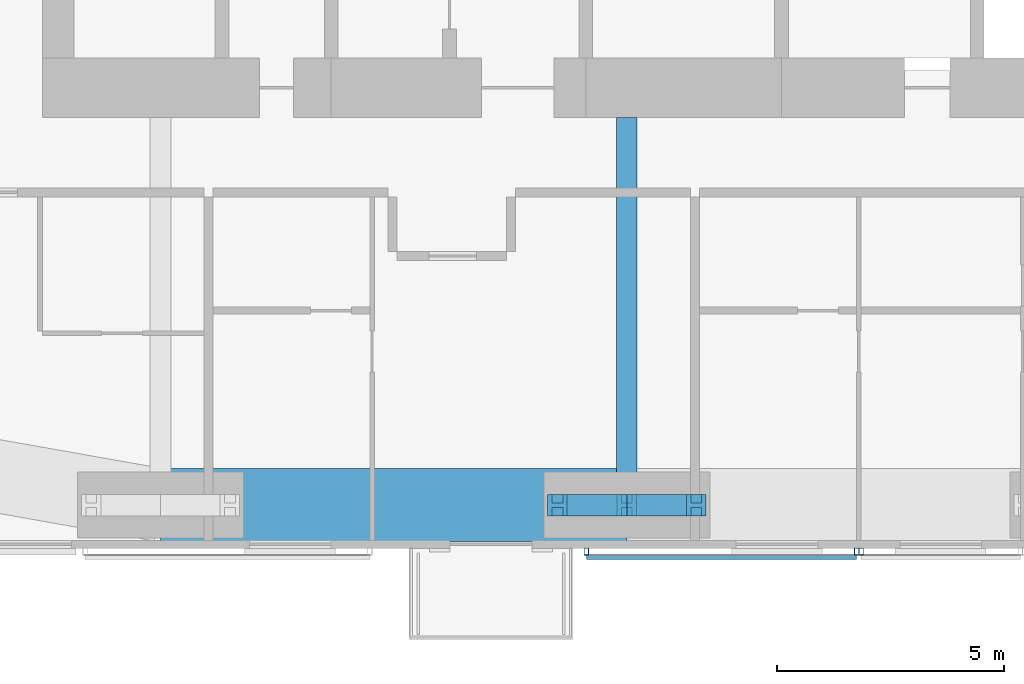
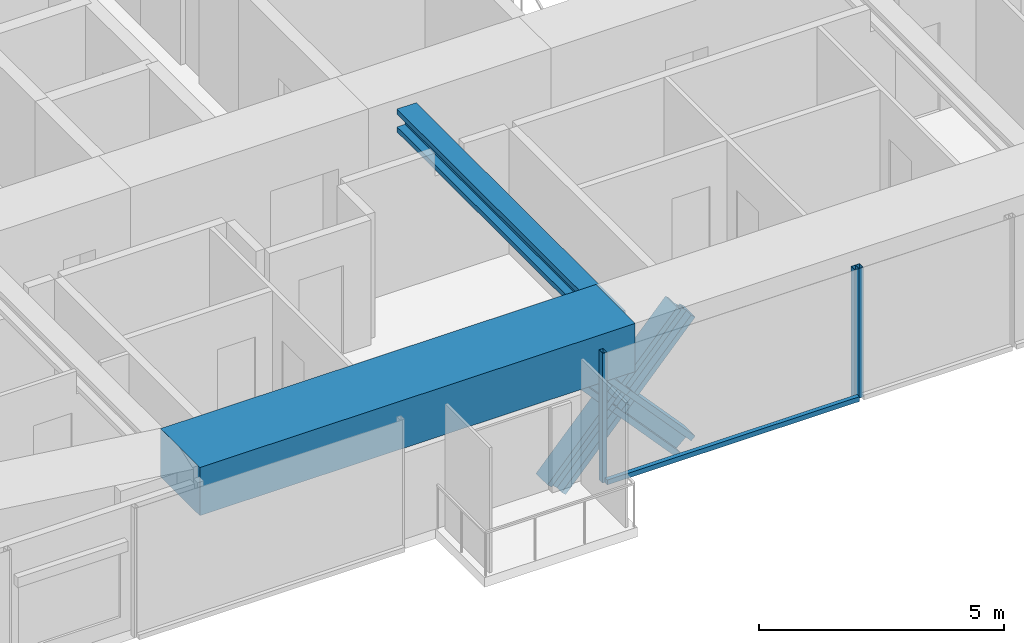
# One storey, part 4 of 23: 8 members, 2 beams, 2 elements without a shape of their own.
"""IFC4 building model written with IfcOpenShell, lengths in metres."""

from ifc_helpers import new_model, si_unit, direction, frame, origin, origin_2d, place, context, subcontext, project, spatial, rectangle, hollow_rectangle, i_section, extrude, material, material_profile, profile_set, type_object, element, aggregate, save


model = new_model("IFC4")

# Units and contexts
model_context = context("Model", 3, precision=1e-05, world=origin(), true_north=direction((0.0, 1.0)))
body_context = subcontext(model_context, "Body", "Model", "MODEL_VIEW")
ifc_project = project(units=[si_unit("LENGTHUNIT", "METRE"), si_unit("AREAUNIT", "SQUARE_METRE"), si_unit("VOLUMEUNIT", "CUBIC_METRE"), si_unit("PLANEANGLEUNIT", "RADIAN"), si_unit("MASSUNIT", "GRAM", prefix="KILO")], contexts=[model_context])

# Site, building, storey
site_placement = place(None, origin())
site = spatial("IfcSite", under=ifc_project, at=site_placement, CompositionType="ELEMENT")
building_placement = place(site_placement, origin())
building = spatial("IfcBuilding", under=site, at=building_placement, Name="Jalousie Tower", CompositionType="ELEMENT")
storey_placement = place(building_placement, frame((0.0, 0.0, 187.85009765625)))
storey = spatial("IfcBuildingStorey", under=building, at=storey_placement, Name="L51", CompositionType="ELEMENT", Elevation=187.85009765625)

# Beam
ifc_material_1 = material(Name="Steel ASTM A992 Grade 50", Category="steel")
ifc_material_profile_1 = material_profile(ifc_material_1, i_section(OverallWidth=0.45458984375, OverallDepth=0.569091796875, WebThickness=0.077880859375, FlangeThickness=0.124755859375, at=origin_2d()), Name="W14X730")
ifc_profile_set_1 = profile_set([ifc_material_profile_1], Name="Steel ASTM A992 Grade 50")
beam_type_1 = type_object("IfcBeamType", Name="LEAN COLLECTOR W14X730", PredefinedType="BEAM", material=ifc_profile_set_1)
beam_1_placement = place(storey_placement, frame((32.5, 0.949951171875, 2.825439453125), z_axis=(0.0, 1.0, 0.0), x_axis=(-1.0, 0.0, 0.0)))
element("IfcBeam", 1, at=beam_1_placement, inside=storey, type_object=beam_type_1, Name="Lean collector under L52", PredefinedType="BEAM", context=body_context, shape_type="SweptSolid", body=[
    extrude(i_section(OverallWidth=0.45458984375, OverallDepth=0.569091796875, WebThickness=0.077880859375, FlangeThickness=0.124755859375, at=origin_2d()), origin(), (0.0, 0.0, 1.0), 8.525146484375),
])

# Members
ifc_material_2 = material(Name="Steel ASTM A992 Grade 50", Category="steel")
ifc_material_profile_2 = material_profile(ifc_material_2, i_section(OverallWidth=0.472412109375, OverallDepth=0.5791015625, WebThickness=0.094970703125, FlangeThickness=0.1298828125, at=origin_2d()), Name="W14X808")
ifc_profile_set_2 = profile_set([ifc_material_profile_2], Name="Steel ASTM A992 Grade 50")
member_type_1 = type_object("IfcMemberType", Name="PERIMETER BRACE W14X808", PredefinedType="BRACE", material=ifc_profile_set_2)
for number, where, z_axis, x_axis, name in (
    (2, (30.97509765625, 0.949951171875, -0.60009765625), (0.673187629365, 0.0, 0.739471713908), (0.0, 1.0, 0.0), "Perimeter brace 03 L51 part 1"),
    (3, (32.5, 0.949951171875, 1.074951171875), (0.673187629365, 0.0, 0.739471713908), (0.0, 1.0, 0.0), "Perimeter brace 03 L51 part 2"),
    (4, (34.02490234375, 0.949951171875, -0.60009765625), (-0.673187629365, 0.0, 0.739471713908), (0.0, -1.0, 0.0), "Perimeter brace 03 L51 part 3"),
    (5, (32.5, 0.949951171875, 1.074951171875), (-0.673187629365, 0.0, 0.739471713908), (0.0, -1.0, 0.0), "Perimeter brace 03 L51 part 4"),
):
    element("IfcMember", number, at=place(storey_placement, frame(where, z_axis=z_axis, x_axis=x_axis)), inside=storey, type_object=member_type_1, Name=name, PredefinedType="BRACE", context=body_context, shape_type="SweptSolid", body=[
        extrude(i_section(OverallWidth=0.472412109375, OverallDepth=0.5791015625, WebThickness=0.094970703125, FlangeThickness=0.1298828125, at=origin_2d()), origin(), (0.0, 0.0, 1.0), 2.26513671875),
    ])

# Beam
ifc_material_3 = material(Name="Concrete f'c 40 MPa", Category="concrete")
ifc_material_profile_3 = material_profile(ifc_material_3, rectangle(XDim=1.60009765625, YDim=1.199951171875, at=origin_2d()), Name="RC 1600x1200")
ifc_profile_set_3 = profile_set([ifc_material_profile_3], Name="Concrete f'c 40 MPa")
beam_type_2 = type_object("IfcBeamType", Name="RC BEAM 1600x1200", PredefinedType="BEAM", material=ifc_profile_set_3)
beam_2_placement = place(storey_placement, frame((22.25, 0.949951171875, 2.75), z_axis=(1.0, 0.0, 0.0), x_axis=(0.0, 1.0, 0.0)))
element("IfcBeam", 6, at=beam_2_placement, inside=storey, type_object=beam_type_2, Name="Edge band beam 02-03 under L52", PredefinedType="BEAM", context=body_context, shape_type="SweptSolid", body=[
    extrude(rectangle(XDim=1.60009765625, YDim=1.199951171875, at=origin_2d()), origin(), (0.0, 0.0, 1.0), 10.25),
])

# Curtain wall, members
ifc_material_4 = material(Name="Perforated aluminium sheet", Category="aluminium")
curtain_wall_type = type_object("IfcCurtainWallType", Name="SOLAR SCREEN SS-1", PredefinedType="USERDEFINED", material=ifc_material_4)
curtain_wall_1_placement = place(storey_placement, origin())
curtain_wall_1 = element("IfcCurtainWall", 7, at=curtain_wall_1_placement, inside=storey, type_object=curtain_wall_type, Name="Solar screen L51", ObjectType="SOLAR SCREEN SS-1", PredefinedType="USERDEFINED")
ifc_material_5 = material(Name="Steel ASTM A500 Grade C", Category="steel")
ifc_material_profile_4 = material_profile(ifc_material_5, hollow_rectangle(XDim=0.1015625, YDim=0.15234375, WallThickness=0.00634765625, at=origin_2d()), Name="HSS6X4X1/4")
ifc_profile_set_4 = profile_set([ifc_material_profile_4], Name="Steel ASTM A500 Grade C")
member_type_2 = type_object("IfcMemberType", Name="SOLAR SCREEN SS-1 MULLION", PredefinedType="MULLION", material=ifc_profile_set_4)
member_1_placement = place(storey_placement, frame((31.612548828125, -0.0712890625, -0.1201171875), z_axis=(0.0, 0.0, 1.0), x_axis=(1.0, 0.0, 0.0)))
member_1 = element("IfcMember", 8, at=member_1_placement, type_object=member_type_2, Name="SS1 post 1", PredefinedType="MULLION", context=body_context, shape_type="SweptSolid", body=[
    extrude(hollow_rectangle(XDim=0.1015625, YDim=0.15234375, WallThickness=0.00634765625, at=origin_2d()), origin(), (0.0, 0.0, 1.0), 3.22998046875),
])
member_2_placement = place(storey_placement, frame((37.550048828125, -0.0712890625, -0.1201171875), z_axis=(0.0, 0.0, 1.0), x_axis=(1.0, 0.0, 0.0)))
member_2 = element("IfcMember", 9, at=member_2_placement, type_object=member_type_2, Name="SS1 post 2", PredefinedType="MULLION", context=body_context, shape_type="SweptSolid", body=[
    extrude(hollow_rectangle(XDim=0.1015625, YDim=0.15234375, WallThickness=0.00634765625, at=origin_2d()), origin(), (0.0, 0.0, 1.0), 3.22998046875),
])

# Curtain wall, member
curtain_wall_2_placement = place(storey_placement, origin())
curtain_wall_2 = element("IfcCurtainWall", 10, at=curtain_wall_2_placement, inside=storey, type_object=curtain_wall_type, Name="Solar screen L51", ObjectType="SOLAR SCREEN SS-1", PredefinedType="USERDEFINED")
member_3_placement = place(storey_placement, frame((37.64990234375, -0.0712890625, -0.1201171875), z_axis=(0.0, 0.0, 1.0), x_axis=(1.0, 0.0, 0.0)))
member_3 = element("IfcMember", 11, at=member_3_placement, type_object=member_type_2, Name="SS1 post 1", PredefinedType="MULLION", context=body_context, shape_type="SweptSolid", body=[
    extrude(hollow_rectangle(XDim=0.1015625, YDim=0.15234375, WallThickness=0.00634765625, at=origin_2d()), origin(), (0.0, 0.0, 1.0), 3.22998046875),
])
aggregate(curtain_wall_2, [member_3])

# Member
ifc_material_6 = material(Name="Extruded aluminium screen rail", Category="aluminium")
ifc_material_profile_5 = material_profile(ifc_material_6, rectangle(XDim=0.1015625, YDim=0.1201171875, at=origin_2d()), Name="RAIL 102x120")
ifc_profile_set_5 = profile_set([ifc_material_profile_5], Name="Extruded aluminium screen rail")
member_type_3 = type_object("IfcMemberType", Name="SOLAR SCREEN SS-1 TRANSOM", PredefinedType="USERDEFINED", material=ifc_profile_set_5)
member_4_placement = place(storey_placement, frame((31.612548828125, -0.1982421875, -0.06005859375), z_axis=(1.0, 0.0, 0.0), x_axis=(0.0, 1.0, 0.0)))
member_4 = element("IfcMember", 12, at=member_4_placement, type_object=member_type_3, Name="SS1 rail", ObjectType="TRANSOM", PredefinedType="USERDEFINED", context=body_context, shape_type="SweptSolid", body=[
    extrude(rectangle(XDim=0.1015625, YDim=0.1201171875, at=origin_2d()), origin(), (0.0, 0.0, 1.0), 5.9375),
])

aggregate(curtain_wall_1, [member_1, member_2, member_4])

save(model, "model.ifc")
